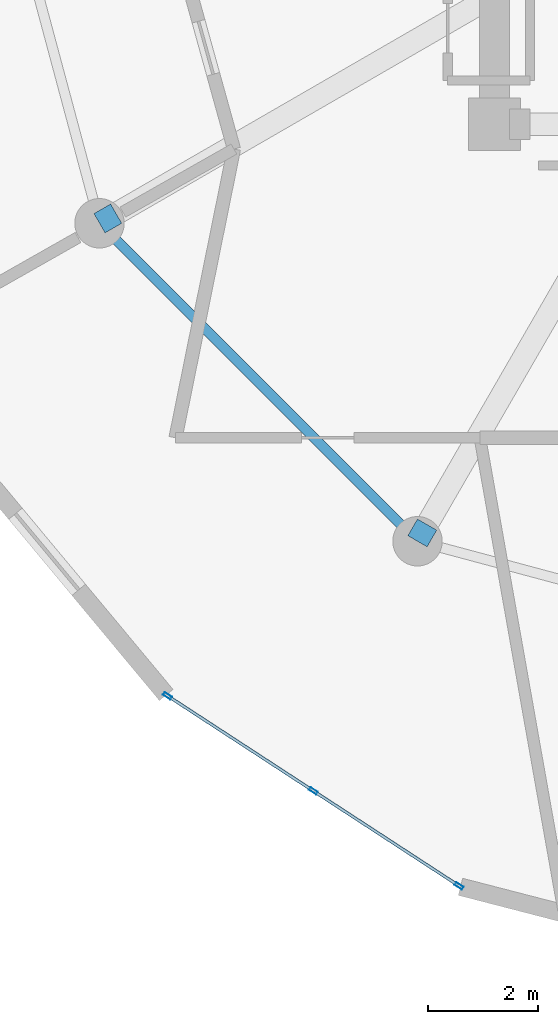
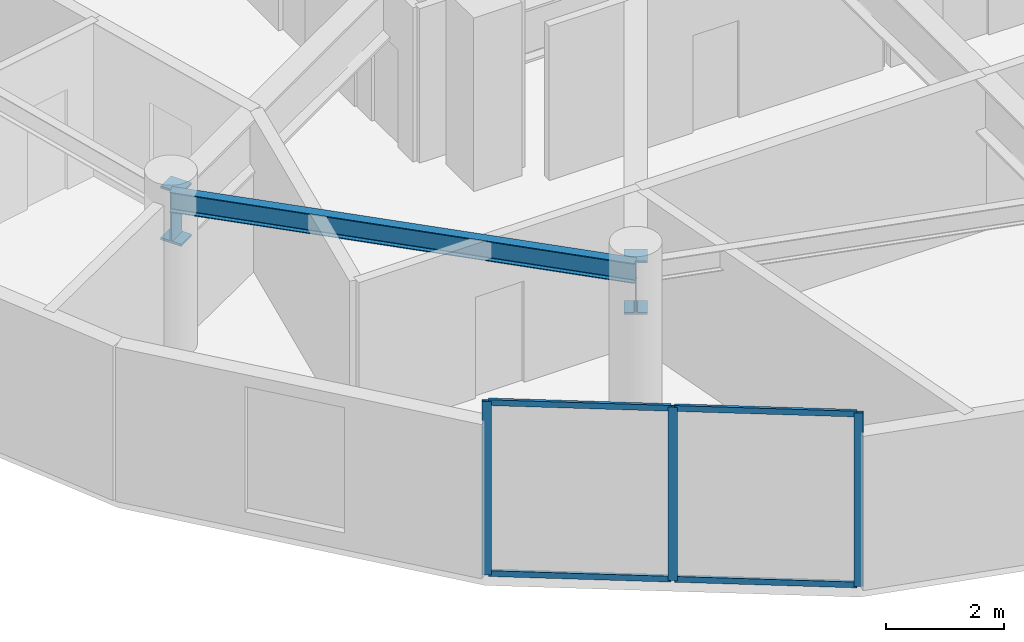
# One storey, part 2 of 22: 7 members, 3 beams, 1 element without a shape of its own.
"""IFC4 building model written with IfcOpenShell, lengths in metres."""

from ifc_helpers import new_model, si_unit, direction, frame, origin, origin_2d, place, context, subcontext, project, spatial, hollow_rectangle, i_section, extrude, source, transform, mapped, material, layer, layer_set, material_profile, profile_set, type_object, element, aggregate, save


model = new_model("IFC4")

# Units and contexts
model_context = context("Model", 3, precision=1e-05, world=origin(), true_north=direction((0.0, 1.0)))
body_context = subcontext(model_context, "Body", "Model", "MODEL_VIEW")
ifc_project = project(units=[si_unit("LENGTHUNIT", "METRE"), si_unit("AREAUNIT", "SQUARE_METRE"), si_unit("VOLUMEUNIT", "CUBIC_METRE"), si_unit("PLANEANGLEUNIT", "RADIAN"), si_unit("MASSUNIT", "GRAM", prefix="KILO")], contexts=[model_context])

# Site, building, storey
site_placement = place(None, origin())
site = spatial("IfcSite", under=ifc_project, at=site_placement, CompositionType="ELEMENT")
building_placement = place(site_placement, origin())
building = spatial("IfcBuilding", under=site, at=building_placement, Name="Solvirekh Grand Hotel", CompositionType="ELEMENT")
storey_placement = place(building_placement, frame((0.0, 0.0, 230.800048828125)))
storey = spatial("IfcBuildingStorey", under=building, at=storey_placement, Name="L60", CompositionType="ELEMENT", Elevation=230.800048828125)

# Beams
ifc_material_1 = material(Name="Steel S355", Category="steel")
ifc_material_profile_1 = material_profile(ifc_material_1, i_section(OverallWidth=0.180908203125, OverallDepth=0.4169921875, WebThickness=0.010009765625, FlangeThickness=0.01611328125, FilletRadius=0.011962890625, at=origin_2d()), Name="W410X85")
ifc_profile_set_1 = profile_set([ifc_material_profile_1], Name="Steel S355")
beam_type_1 = type_object("IfcBeamType", Name="Spandrel_Ring_W410", PredefinedType="SPANDREL", material=ifc_profile_set_1)
beam_placement = place(storey_placement, frame((-13.68310546875, -7.89990234375, 2.991943359375), z_axis=(0.707106781187, -0.707106781187, 0.0), x_axis=(0.707106781187, 0.707106781187, 0.0)))
element("IfcBeam", 1, at=beam_placement, inside=storey, type_object=beam_type_1, Name="L60 perimeter spandrel beam 8", PredefinedType="SPANDREL", context=body_context, shape_type="SweptSolid", body=[
    extrude(i_section(OverallWidth=0.180908203125, OverallDepth=0.4169921875, WebThickness=0.010009765625, FlangeThickness=0.01611328125, FilletRadius=0.011962890625, at=origin_2d()), origin(), (0.0, 0.0, 1.0), 8.1787109375),
])
ifc_material_2 = material(Name="Steel S460", Category="steel")
ifc_material_profile_2 = material_profile(ifc_material_2, i_section(OverallWidth=0.405029296875, OverallDepth=1.117919921875, WebThickness=0.02587890625, FlangeThickness=0.048095703125, FilletRadius=0.02392578125, at=origin_2d()), Name="W1100X499")
ifc_profile_set_2 = profile_set([ifc_material_profile_2], Name="Steel S460")
beam_type_2 = type_object("IfcBeamType", Name="TransferGirder_W1100", PredefinedType="USERDEFINED", material=ifc_profile_set_2)
for number, where, z_axis, x_axis, name in (
    (2, (-13.3798828125, -7.72509765625, 2.640869140625), (-0.866348119543, -0.499440622861, 0.0), (0.499440622861, -0.866348119543, 0.0), "L60 outer radial transfer girder 8B"),
    (3, (-7.72509765625, -13.3798828125, 2.640869140625), (-0.499440622861, -0.866348119543, 0.0), (0.866348119543, -0.499440622861, 0.0), "L60 outer radial transfer girder 9B"),
):
    element("IfcBeam", number, at=place(storey_placement, frame(where, z_axis=z_axis, x_axis=x_axis)), inside=storey, type_object=beam_type_2, Name=name, ObjectType="TRANSFER GIRDER", PredefinedType="USERDEFINED", context=body_context, shape_type="SweptSolid", body=[
        extrude(i_section(OverallWidth=0.405029296875, OverallDepth=1.117919921875, WebThickness=0.02587890625, FlangeThickness=0.048095703125, FilletRadius=0.02392578125, at=origin_2d()), origin(), (0.0, 0.0, 1.0), 0.35009765625),
    ])

# Curtain wall, members
ifc_material_3 = material(Name="Anodized Bronze Aluminium 6063-T6", Category="aluminium")
ifc_layer = layer(ifc_material_3, 0.159912109375)
ifc_layer_set = layer_set([ifc_layer], Name="Anodized Bronze Aluminium 6063-T6")
curtain_wall_type = type_object("IfcCurtainWallType", Name="CW_Sys4_HighZoneFlushBronzeCW", PredefinedType="NOTDEFINED", material=ifc_layer_set)
curtain_wall_placement = place(storey_placement, origin())
curtain_wall = element("IfcCurtainWall", 4, at=curtain_wall_placement, inside=storey, type_object=curtain_wall_type, Name="L60 unitised bronze-glass curtain wall CW-L60-C18", PredefinedType="NOTDEFINED")
ifc_material_profile_3 = material_profile(ifc_material_3, hollow_rectangle(XDim=0.054931640625, YDim=0.1201171875, WallThickness=0.00390625, at=origin_2d()), Name="ALU RHS 120X55X4")
ifc_profile_set_3 = profile_set([ifc_material_profile_3], Name="Anodized Bronze Aluminium 6063-T6")
member_type_1 = type_object("IfcMemberType", Name="CWTransom_Sys4", PredefinedType="USERDEFINED", material=ifc_profile_set_3)
shared_shape_1 = source(origin(), body_context, "Body", "SweptSolid", [
    extrude(hollow_rectangle(XDim=0.054931640625, YDim=0.1201171875, WallThickness=0.00390625, at=origin_2d()), origin(), (0.0, 0.0, 1.0), 3.1044921875),
])
member_1_placement = place(storey_placement, frame((-12.420654296875, -16.51171875, 0.02734375), z_axis=(0.837716969526, -0.546104641043, 0.0), x_axis=(0.546104641043, 0.837716969526, 0.0)))
member_1 = element("IfcMember", 5, at=member_1_placement, type_object=member_type_1, Name="U04 transom 1.1", ObjectType="TRANSOM", PredefinedType="USERDEFINED", context=body_context, shape_type="MappedRepresentation", body=[
    mapped(shared_shape_1, transform((0.0, 0.0, 0.0), x_axis=(1.0, 0.0, 0.0), y_axis=(0.0, 1.0, 0.0), z_axis=(0.0, 0.0, 1.0), scale=1.0)),
])
member_2_placement = place(storey_placement, frame((-12.420654296875, -16.51171875, 3.572509765625), z_axis=(0.837716969526, -0.546104641043, 0.0), x_axis=(0.546104641043, 0.837716969526, 0.0)))
member_2 = element("IfcMember", 6, at=member_2_placement, type_object=member_type_1, Name="U04 transom 1.2", ObjectType="TRANSOM", PredefinedType="USERDEFINED", context=body_context, shape_type="MappedRepresentation", body=[
    mapped(shared_shape_1, transform((0.0, 0.0, 0.0), x_axis=(1.0, 0.0, 0.0), y_axis=(0.0, 1.0, 0.0), z_axis=(0.0, 0.0, 1.0), scale=1.0)),
])
member_3_placement = place(storey_placement, frame((-9.769775390625, -18.239990234375, 0.02734375), z_axis=(0.837716969526, -0.546104641043, 0.0), x_axis=(0.546104641043, 0.837716969526, 0.0)))
member_3 = element("IfcMember", 7, at=member_3_placement, type_object=member_type_1, Name="U04 transom 2.1", ObjectType="TRANSOM", PredefinedType="USERDEFINED", context=body_context, shape_type="MappedRepresentation", body=[
    mapped(shared_shape_1, transform((0.0, 0.0, 0.0), x_axis=(1.0, 0.0, 0.0), y_axis=(0.0, 1.0, 0.0), z_axis=(0.0, 0.0, 1.0), scale=1.0)),
])
member_4_placement = place(storey_placement, frame((-9.769775390625, -18.239990234375, 3.572509765625), z_axis=(0.837716969526, -0.546104641043, 0.0), x_axis=(0.546104641043, 0.837716969526, 0.0)))
member_4 = element("IfcMember", 8, at=member_4_placement, type_object=member_type_1, Name="U04 transom 2.2", ObjectType="TRANSOM", PredefinedType="USERDEFINED", context=body_context, shape_type="MappedRepresentation", body=[
    mapped(shared_shape_1, transform((0.0, 0.0, 0.0), x_axis=(1.0, 0.0, 0.0), y_axis=(0.0, 1.0, 0.0), z_axis=(0.0, 0.0, 1.0), scale=1.0)),
])
ifc_material_profile_4 = material_profile(ifc_material_3, hollow_rectangle(XDim=0.06005859375, YDim=0.159912109375, WallThickness=0.0048828125, at=origin_2d()), Name="ALU RHS 160X60X5")
ifc_profile_set_4 = profile_set([ifc_material_profile_4], Name="Anodized Bronze Aluminium 6063-T6")
member_type_2 = type_object("IfcMemberType", Name="CWMullion_Sys4", PredefinedType="MULLION", material=ifc_profile_set_4)
shared_shape_2 = source(origin(), body_context, "Body", "SweptSolid", [
    extrude(hollow_rectangle(XDim=0.06005859375, YDim=0.159912109375, WallThickness=0.0048828125, at=origin_2d()), origin(), (0.0, 0.0, 1.0), 3.599853515625),
])
member_5_placement = place(storey_placement, frame((-12.44580078125, -16.495361328125, 0.0), z_axis=(0.0, 0.0, 1.0), x_axis=(0.546110209514, 0.837713339434, 0.0)))
member_5 = element("IfcMember", 9, at=member_5_placement, type_object=member_type_2, Name="U04 mullion 1", PredefinedType="MULLION", context=body_context, shape_type="MappedRepresentation", body=[
    mapped(shared_shape_2, transform((0.0, 0.0, 0.0), x_axis=(1.0, 0.0, 0.0), y_axis=(0.0, 1.0, 0.0), z_axis=(0.0, 0.0, 1.0), scale=1.0)),
])
member_6_placement = place(storey_placement, frame((-9.794921875, -18.223388671875, 0.0), z_axis=(0.0, 0.0, 1.0), x_axis=(0.546110209514, 0.837713339434, 0.0)))
member_6 = element("IfcMember", 10, at=member_6_placement, type_object=member_type_2, Name="U04 mullion 2", PredefinedType="MULLION", context=body_context, shape_type="MappedRepresentation", body=[
    mapped(shared_shape_2, transform((0.0, 0.0, 0.0), x_axis=(1.0, 0.0, 0.0), y_axis=(0.0, 1.0, 0.0), z_axis=(0.0, 0.0, 1.0), scale=1.0)),
])
member_7_placement = place(storey_placement, frame((-7.14404296875, -19.95166015625, 0.0), z_axis=(0.0, 0.0, 1.0), x_axis=(0.546110209514, 0.837713339434, 0.0)))
member_7 = element("IfcMember", 11, at=member_7_placement, type_object=member_type_2, Name="U04 mullion 3", PredefinedType="MULLION", context=body_context, shape_type="MappedRepresentation", body=[
    mapped(shared_shape_2, transform((0.0, 0.0, 0.0), x_axis=(1.0, 0.0, 0.0), y_axis=(0.0, 1.0, 0.0), z_axis=(0.0, 0.0, 1.0), scale=1.0)),
])
aggregate(curtain_wall, [member_5, member_6, member_7, member_1, member_2, member_3, member_4])

save(model, "model.ifc")
